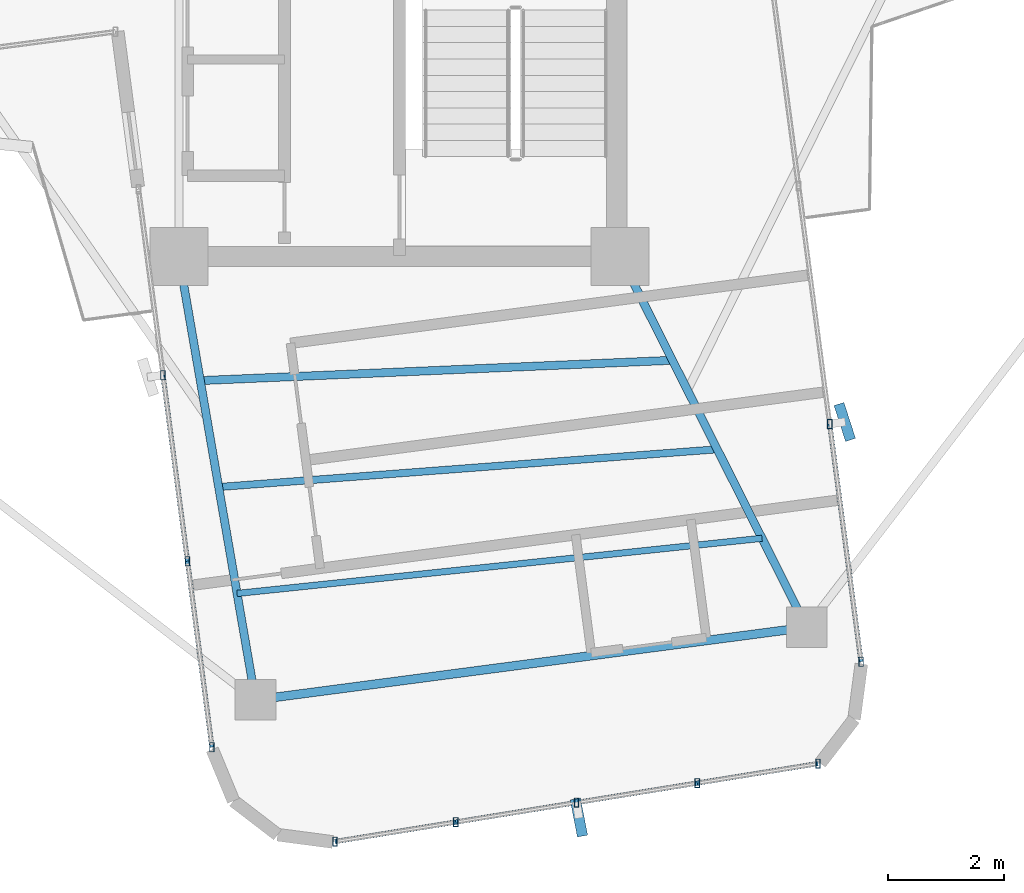
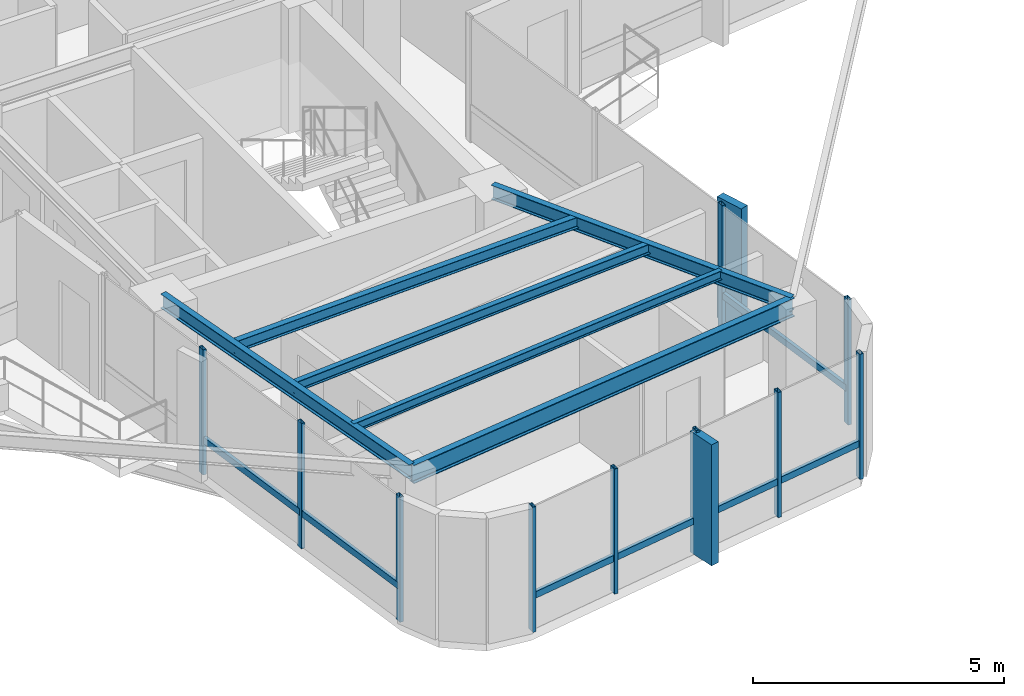
# One storey, part 4 of 23: 19 members, 6 beams, 3 elements without a shape of their own.
"""IFC4 building model written with IfcOpenShell, lengths in metres."""

from ifc_helpers import new_model, si_unit, direction, frame, origin, origin_2d, place, context, subcontext, project, spatial, rectangle, hollow_rectangle, i_section, extrude, source, transform, mapped, material, material_profile, profile_set, type_object, element, aggregate, save


model = new_model("IFC4")

# Units and contexts
model_context = context("Model", 3, precision=1e-05, world=origin(), true_north=direction((0.0, 1.0)))
body_context = subcontext(model_context, "Body", "Model", "MODEL_VIEW")
ifc_project = project(units=[si_unit("LENGTHUNIT", "METRE"), si_unit("AREAUNIT", "SQUARE_METRE"), si_unit("VOLUMEUNIT", "CUBIC_METRE"), si_unit("PLANEANGLEUNIT", "RADIAN"), si_unit("MASSUNIT", "GRAM", prefix="KILO")], contexts=[model_context])

# Site, building, storey
site_placement = place(None, origin())
site = spatial("IfcSite", under=ifc_project, at=site_placement, CompositionType="ELEMENT")
building_placement = place(site_placement, origin())
building = spatial("IfcBuilding", under=site, at=building_placement, Name="Sahyath Konkavel Grand Hotel", CompositionType="ELEMENT")
storey_placement = place(building_placement, frame((0.0, 0.0, 226.60009765625)))
storey = spatial("IfcBuildingStorey", under=building, at=storey_placement, Name="L63", CompositionType="ELEMENT", Elevation=226.60009765625)

# Beams
ifc_material_1 = material(Name="Steel E350", Category="steel")
ifc_material_profile_1 = material_profile(ifc_material_1, i_section(OverallWidth=0.139892578125, OverallDepth=0.35009765625, WebThickness=0.008056640625, FlangeThickness=0.01416015625, FilletRadius=0.013916015625, at=origin_2d()), Name="ISMB 350")
ifc_profile_set_1 = profile_set([ifc_material_profile_1], Name="Steel E350")
beam_type_1 = type_object("IfcBeamType", Name="BM-ISMB350", PredefinedType="BEAM", material=ifc_profile_set_1)
shared_shape_1 = source(origin(), body_context, "Body", "SweptSolid", [
    extrude(i_section(OverallWidth=0.139892578125, OverallDepth=0.35009765625, WebThickness=0.008056640625, FlangeThickness=0.01416015625, FilletRadius=0.013916015625, at=origin_2d()), origin(), (0.0, 0.0, 1.0), 7.74951171875),
])
beam_1_placement = place(storey_placement, frame((-3.800048828125, -10.199951171875, 2.875), z_axis=(0.170184370134, -0.985412238691, 0.0), x_axis=(0.985412238691, 0.170184370134, 0.0)))
element("IfcBeam", 1, at=beam_1_placement, inside=storey, type_object=beam_type_1, Name="L63 Cruciform Radial Girder SA", PredefinedType="BEAM", context=body_context, shape_type="MappedRepresentation", body=[
    mapped(shared_shape_1, transform((0.0, 0.0, 0.0), scale=1.0)),
])
shared_shape_2 = source(origin(), body_context, "Body", "SweptSolid", [
    extrude(i_section(OverallWidth=0.139892578125, OverallDepth=0.35009765625, WebThickness=0.008056640625, FlangeThickness=0.01416015625, FilletRadius=0.013916015625, at=origin_2d()), origin(), (0.0, 0.0, 1.0), 7.149169921875),
])
beam_2_placement = place(storey_placement, frame((3.800048828125, -10.199951171875, 2.875), z_axis=(0.449411491325, -0.893324863342, 0.0), x_axis=(0.893324863342, 0.449411491325, 0.0)))
element("IfcBeam", 2, at=beam_2_placement, inside=storey, type_object=beam_type_1, Name="L63 Cruciform Radial Girder SB", PredefinedType="BEAM", context=body_context, shape_type="MappedRepresentation", body=[
    mapped(shared_shape_2, transform((0.0, 0.0, 0.0), scale=1.0)),
])
ifc_material_profile_2 = material_profile(ifc_material_1, i_section(OverallWidth=0.14990234375, OverallDepth=0.449951171875, WebThickness=0.009521484375, FlangeThickness=0.017333984375, FilletRadius=0.014892578125, at=origin_2d()), Name="ISMB 450")
ifc_profile_set_2 = profile_set([ifc_material_profile_2], Name="Steel E350")
beam_type_2 = type_object("IfcBeamType", Name="BM-ISMB450", PredefinedType="BEAM", material=ifc_profile_set_2)
shared_shape_3 = source(origin(), body_context, "Body", "SweptSolid", [
    extrude(i_section(OverallWidth=0.14990234375, OverallDepth=0.449951171875, WebThickness=0.009521484375, FlangeThickness=0.017333984375, FilletRadius=0.014892578125, at=origin_2d()), origin(), (0.0, 0.0, 1.0), 9.576171875),
])
beam_3_placement = place(storey_placement, frame((-2.481201171875, -17.83642578125, 2.824951171875), z_axis=(0.991443879237, 0.13053365207, 0.0), x_axis=(-0.13053365207, 0.991443879237, 0.0)))
element("IfcBeam", 3, at=beam_3_placement, inside=storey, type_object=beam_type_2, Name="L63 Wing Tip Edge Beam S", PredefinedType="BEAM", context=body_context, shape_type="MappedRepresentation", body=[
    mapped(shared_shape_3, transform((0.0, 0.0, 0.0), scale=1.0)),
])
ifc_material_profile_3 = material_profile(ifc_material_1, i_section(OverallWidth=0.139892578125, OverallDepth=0.27490234375, WebThickness=0.00634765625, FlangeThickness=0.0087890625, FilletRadius=0.012939453125, at=origin_2d()), Name="ISLB 275")
ifc_profile_set_3 = profile_set([ifc_material_profile_3], Name="Steel E350")
beam_type_3 = type_object("IfcBeamType", Name="BM-ISLB275", PredefinedType="BEAM", material=ifc_profile_set_3)
shared_shape_4 = source(origin(), body_context, "Body", "SweptSolid", [
    extrude(i_section(OverallWidth=0.139892578125, OverallDepth=0.27490234375, WebThickness=0.00634765625, FlangeThickness=0.0087890625, FilletRadius=0.012939453125, at=origin_2d()), origin(), (0.0, 0.0, 1.0), 8.137939453125),
])
beam_4_placement = place(storey_placement, frame((-3.4306640625, -12.338134765625, 2.912353515625), z_axis=(0.999075473951, 0.042990665851, 0.0), x_axis=(-0.042990665851, 0.999075473951, 0.0)))
element("IfcBeam", 4, at=beam_4_placement, inside=storey, type_object=beam_type_3, Name="L63 Secondary Floor Beam S-1", PredefinedType="BEAM", context=body_context, shape_type="MappedRepresentation", body=[
    mapped(shared_shape_4, transform((0.0, 0.0, 0.0), scale=1.0)),
])
ifc_material_profile_4 = material_profile(ifc_material_1, i_section(OverallWidth=0.125, OverallDepth=0.25, WebThickness=0.0068359375, FlangeThickness=0.012451171875, FilletRadius=0.012939453125, at=origin_2d()), Name="ISMB 250")
ifc_profile_set_4 = profile_set([ifc_material_profile_4], Name="Steel E350")
beam_type_4 = type_object("IfcBeamType", Name="BM-ISMB250", PredefinedType="BEAM", material=ifc_profile_set_4)
shared_shape_5 = source(origin(), body_context, "Body", "SweptSolid", [
    extrude(i_section(OverallWidth=0.125, OverallDepth=0.25, WebThickness=0.0068359375, FlangeThickness=0.012451171875, FilletRadius=0.012939453125, at=origin_2d()), origin(), (0.0, 0.0, 1.0), 8.609619140625),
])
beam_5_placement = place(storey_placement, frame((-3.1142578125, -14.1708984375, 2.9248046875), z_axis=(0.997146829077, 0.075486430981, 0.0), x_axis=(-0.075486430981, 0.997146829077, 0.0)))
element("IfcBeam", 5, at=beam_5_placement, inside=storey, type_object=beam_type_4, Name="L63 Secondary Floor Beam S-2", PredefinedType="BEAM", context=body_context, shape_type="MappedRepresentation", body=[
    mapped(shared_shape_5, transform((0.0, 0.0, 0.0), scale=1.0)),
])
ifc_material_profile_5 = material_profile(ifc_material_1, i_section(OverallWidth=0.110107421875, OverallDepth=0.22509765625, WebThickness=0.006591796875, FlangeThickness=0.01171875, FilletRadius=0.011962890625, at=origin_2d()), Name="ISMB 225")
ifc_profile_set_5 = profile_set([ifc_material_profile_5], Name="Steel E350")
beam_type_5 = type_object("IfcBeamType", Name="BM-ISMB225", PredefinedType="BEAM", material=ifc_profile_set_5)
shared_shape_6 = source(origin(), body_context, "Body", "SweptSolid", [
    extrude(i_section(OverallWidth=0.110107421875, OverallDepth=0.22509765625, WebThickness=0.006591796875, FlangeThickness=0.01171875, FilletRadius=0.011962890625, at=origin_2d()), origin(), (0.0, 0.0, 1.0), 9.08935546875),
])
beam_6_placement = place(storey_placement, frame((-2.797607421875, -16.003662109375, 2.9375), z_axis=(0.99452354105, 0.104512804468, 0.0), x_axis=(-0.104512804468, 0.99452354105, 0.0)))
element("IfcBeam", 6, at=beam_6_placement, inside=storey, type_object=beam_type_5, Name="L63 Secondary Floor Beam S-3", PredefinedType="BEAM", context=body_context, shape_type="MappedRepresentation", body=[
    mapped(shared_shape_6, transform((0.0, 0.0, 0.0), scale=1.0)),
])

# Curtain wall, members
ifc_material_2 = material(Name="Anodised Bronze Aluminium & Low-E Glazing", Category="aluminium")
curtain_wall_type = type_object("IfcCurtainWallType", Name="CW-ZONE4", PredefinedType="NOTDEFINED", material=ifc_material_2)
curtain_wall_1_placement = place(storey_placement, origin())
curtain_wall_1 = element("IfcCurtainWall", 7, at=curtain_wall_1_placement, inside=storey, type_object=curtain_wall_type, Name="L63 Unitised Curtain Wall F24", PredefinedType="NOTDEFINED")
ifc_material_3 = material(Name="Anodised Bronze Aluminium", Category="aluminium")
ifc_material_profile_6 = material_profile(ifc_material_3, hollow_rectangle(XDim=0.080078125, YDim=0.159912109375, WallThickness=0.006103515625, at=origin_2d()), Name="RHS 160x80x6")
ifc_profile_set_6 = profile_set([ifc_material_profile_6], Name="Anodised Bronze Aluminium")
member_type_1 = type_object("IfcMemberType", Name="CW-MUL-160", PredefinedType="MULLION", material=ifc_profile_set_6)
shared_shape_7 = source(origin(), body_context, "Body", "SweptSolid", [
    extrude(hollow_rectangle(XDim=0.080078125, YDim=0.159912109375, WallThickness=0.006103515625, at=origin_2d()), origin(), (0.0, 0.0, 1.0), 3.0498046875),
])
member_1_placement = place(storey_placement, frame((-4.07470703125, -12.245361328125, 0.0), z_axis=(0.0, 0.0, 1.0), x_axis=(1.0, 0.0, 0.0)))
member_1 = element("IfcMember", 8, at=member_1_placement, type_object=member_type_1, Name="L63 Curtain Wall Mullion F24-1", PredefinedType="MULLION", context=body_context, shape_type="MappedRepresentation", body=[
    mapped(shared_shape_7, transform((0.0, 0.0, 0.0), scale=1.0)),
])
member_2_placement = place(storey_placement, frame((-3.65283203125, -15.4482421875, 0.0), z_axis=(0.0, 0.0, 1.0), x_axis=(1.0, 0.0, 0.0)))
member_2 = element("IfcMember", 9, at=member_2_placement, type_object=member_type_1, Name="L63 Curtain Wall Mullion F24-2", PredefinedType="MULLION", context=body_context, shape_type="MappedRepresentation", body=[
    mapped(shared_shape_7, transform((0.0, 0.0, 0.0), scale=1.0)),
])
member_3_placement = place(storey_placement, frame((-3.231201171875, -18.6513671875, 0.0), z_axis=(0.0, 0.0, 1.0), x_axis=(1.0, 0.0, 0.0)))
member_3 = element("IfcMember", 10, at=member_3_placement, type_object=member_type_1, Name="L63 Curtain Wall Mullion F24-3", PredefinedType="MULLION", context=body_context, shape_type="MappedRepresentation", body=[
    mapped(shared_shape_7, transform((0.0, 0.0, 0.0), scale=1.0)),
])

curtain_wall_2_placement = place(storey_placement, origin())
curtain_wall_2 = element("IfcCurtainWall", 11, at=curtain_wall_2_placement, inside=storey, type_object=curtain_wall_type, Name="L63 Unitised Curtain Wall F28", PredefinedType="NOTDEFINED")
member_4_placement = place(storey_placement, frame((-1.11083984375, -20.27734375, 0.0), z_axis=(0.0, 0.0, 1.0), x_axis=(1.0, 0.0, 0.0)))
member_4 = element("IfcMember", 12, at=member_4_placement, type_object=member_type_1, Name="L63 Curtain Wall Mullion F28-0", PredefinedType="MULLION", context=body_context, shape_type="MappedRepresentation", body=[
    mapped(shared_shape_7, transform((0.0, 0.0, 0.0), scale=1.0)),
])
member_5_placement = place(storey_placement, frame((0.968505859375, -19.941650390625, 0.0), z_axis=(0.0, 0.0, 1.0), x_axis=(1.0, 0.0, 0.0)))
member_5 = element("IfcMember", 13, at=member_5_placement, type_object=member_type_1, Name="L63 Curtain Wall Mullion F28-1", PredefinedType="MULLION", context=body_context, shape_type="MappedRepresentation", body=[
    mapped(shared_shape_7, transform((0.0, 0.0, 0.0), scale=1.0)),
])
member_6_placement = place(storey_placement, frame((3.047607421875, -19.60595703125, 0.0), z_axis=(0.0, 0.0, 1.0), x_axis=(1.0, 0.0, 0.0)))
member_6 = element("IfcMember", 14, at=member_6_placement, type_object=member_type_1, Name="L63 Curtain Wall Mullion F28-2", PredefinedType="MULLION", context=body_context, shape_type="MappedRepresentation", body=[
    mapped(shared_shape_7, transform((0.0, 0.0, 0.0), scale=1.0)),
])
member_7_placement = place(storey_placement, frame((5.126953125, -19.270263671875, 0.0), z_axis=(0.0, 0.0, 1.0), x_axis=(1.0, 0.0, 0.0)))
member_7 = element("IfcMember", 15, at=member_7_placement, type_object=member_type_1, Name="L63 Curtain Wall Mullion F28-3", PredefinedType="MULLION", context=body_context, shape_type="MappedRepresentation", body=[
    mapped(shared_shape_7, transform((0.0, 0.0, 0.0), scale=1.0)),
])
member_8_placement = place(storey_placement, frame((7.2060546875, -18.934814453125, 0.0), z_axis=(0.0, 0.0, 1.0), x_axis=(1.0, 0.0, 0.0)))
member_8 = element("IfcMember", 16, at=member_8_placement, type_object=member_type_1, Name="L63 Curtain Wall Mullion F28-4", PredefinedType="MULLION", context=body_context, shape_type="MappedRepresentation", body=[
    mapped(shared_shape_7, transform((0.0, 0.0, 0.0), scale=1.0)),
])

curtain_wall_3_placement = place(storey_placement, origin())
curtain_wall_3 = element("IfcCurtainWall", 17, at=curtain_wall_3_placement, inside=storey, type_object=curtain_wall_type, Name="L63 Unitised Curtain Wall F31", PredefinedType="NOTDEFINED")
member_9_placement = place(storey_placement, frame((7.948486328125, -17.179443359375, 0.0), z_axis=(0.0, 0.0, 1.0), x_axis=(1.0, 0.0, 0.0)))
member_9 = element("IfcMember", 18, at=member_9_placement, type_object=member_type_1, Name="L63 Curtain Wall Mullion F31-0", PredefinedType="MULLION", context=body_context, shape_type="MappedRepresentation", body=[
    mapped(shared_shape_7, transform((0.0, 0.0, 0.0), scale=1.0)),
])
member_10_placement = place(storey_placement, frame((7.4091796875, -13.084228515625, 0.0), z_axis=(0.0, 0.0, 1.0), x_axis=(1.0, 0.0, 0.0)))
member_10 = element("IfcMember", 19, at=member_10_placement, type_object=member_type_1, Name="L63 Curtain Wall Mullion F31-1", PredefinedType="MULLION", context=body_context, shape_type="MappedRepresentation", body=[
    mapped(shared_shape_7, transform((0.0, 0.0, 0.0), scale=1.0)),
])

# Member
ifc_material_4 = material(Name="Warm Buff Sandstone Cladding on Concrete C50/60", Category="masonry")
ifc_material_profile_7 = material_profile(ifc_material_4, rectangle(XDim=0.179931640625, YDim=0.64990234375, at=origin_2d()), Name="FIN 180x650")
ifc_profile_set_7 = profile_set([ifc_material_profile_7], Name="Warm Buff Sandstone Cladding on Concrete C50/60")
member_type_2 = type_object("IfcMemberType", Name="FIN-SANDSTONE-650", PredefinedType="MULLION", material=ifc_profile_set_7)
shared_shape_8 = source(origin(), body_context, "Body", "SweptSolid", [
    extrude(rectangle(XDim=0.179931640625, YDim=0.64990234375, at=origin_2d()), origin(), (0.0, 0.0, 1.0), 2.9501953125),
])
member_11_placement = place(storey_placement, frame((3.089111328125, -19.86279296875, 0.0498046875), z_axis=(0.0, 0.0, 1.0), x_axis=(0.981527141537, 0.191322947989, 0.0)))
member_11 = element("IfcMember", 20, at=member_11_placement, type_object=member_type_2, Name="L63 Sandstone Vertical Solar Fin FIN F28-2", PredefinedType="MULLION", context=body_context, shape_type="MappedRepresentation", body=[
    mapped(shared_shape_8, transform((0.0, 0.0, 0.0), scale=1.0)),
])

member_12_placement = place(storey_placement, frame((7.6669921875, -13.05029296875, 0.0498046875), z_axis=(0.0, 0.0, 1.0), x_axis=(0.951808747363, 0.306692204733, 0.0)))
member_12 = element("IfcMember", 21, at=member_12_placement, type_object=member_type_2, Name="L63 Sandstone Vertical Solar Fin FIN F31-1", PredefinedType="MULLION", context=body_context, shape_type="MappedRepresentation", body=[
    mapped(shared_shape_8, transform((0.0, 0.0, 0.0), scale=1.0)),
])

ifc_material_profile_8 = material_profile(ifc_material_3, hollow_rectangle(XDim=0.080078125, YDim=0.159912109375, WallThickness=0.006103515625, at=origin_2d()), Name="RHS 160x80x6")
ifc_profile_set_8 = profile_set([ifc_material_profile_8], Name="Anodised Bronze Aluminium")
member_type_3 = type_object("IfcMemberType", Name="CW-TRN-160", PredefinedType="USERDEFINED", material=ifc_profile_set_8)
shared_shape_9 = source(origin(), body_context, "Body", "SweptSolid", [
    extrude(hollow_rectangle(XDim=0.080078125, YDim=0.159912109375, WallThickness=0.006103515625, at=origin_2d()), origin(), (0.0, 0.0, 1.0), 3.230712890625),
])
member_13_placement = place(storey_placement, frame((-3.65283203125, -15.4482421875, 0.849853515625), z_axis=(0.130505336662, -0.991447606837, 0.0), x_axis=(0.991447606837, 0.130505336662, 0.0)))
member_13 = element("IfcMember", 22, at=member_13_placement, type_object=member_type_3, Name="L63 Curtain Wall Transom F24-2-spandrel", ObjectType="TRANSOM", PredefinedType="USERDEFINED", context=body_context, shape_type="MappedRepresentation", body=[
    mapped(shared_shape_9, transform((0.0, 0.0, 0.0), scale=1.0)),
])

shared_shape_10 = source(origin(), body_context, "Body", "SweptSolid", [
    extrude(hollow_rectangle(XDim=0.080078125, YDim=0.159912109375, WallThickness=0.006103515625, at=origin_2d()), origin(), (0.0, 0.0, 1.0), 3.23046875),
])
member_14_placement = place(storey_placement, frame((-4.07470703125, -12.245361328125, 0.849853515625), z_axis=(0.130589399912, -0.991436537874, 0.0), x_axis=(0.991436537874, 0.130589399912, 0.0)))
member_14 = element("IfcMember", 23, at=member_14_placement, type_object=member_type_3, Name="L63 Curtain Wall Transom F24-1-spandrel", ObjectType="TRANSOM", PredefinedType="USERDEFINED", context=body_context, shape_type="MappedRepresentation", body=[
    mapped(shared_shape_10, transform((0.0, 0.0, 0.0), scale=1.0)),
])

aggregate(curtain_wall_1, [member_1, member_2, member_3, member_14, member_13])

shared_shape_11 = source(origin(), body_context, "Body", "SweptSolid", [
    extrude(hollow_rectangle(XDim=0.080078125, YDim=0.159912109375, WallThickness=0.006103515625, at=origin_2d()), origin(), (0.0, 0.0, 1.0), 2.106201171875),
])
member_15_placement = place(storey_placement, frame((-1.11083984375, -20.27734375, 0.849853515625), z_axis=(0.987217598506, 0.159378208048, 0.0), x_axis=(-0.159378208048, 0.987217598506, 0.0)))
member_15 = element("IfcMember", 24, at=member_15_placement, type_object=member_type_3, Name="L63 Curtain Wall Transom F28-0-spandrel", ObjectType="TRANSOM", PredefinedType="USERDEFINED", context=body_context, shape_type="MappedRepresentation", body=[
    mapped(shared_shape_11, transform((0.0, 0.0, 0.0), scale=1.0)),
])

member_16_placement = place(storey_placement, frame((3.047607421875, -19.60595703125, 0.849853515625), z_axis=(0.987217598506, 0.159378208048, 0.0), x_axis=(-0.159378208048, 0.987217598506, 0.0)))
member_16 = element("IfcMember", 25, at=member_16_placement, type_object=member_type_3, Name="L63 Curtain Wall Transom F28-2-spandrel", ObjectType="TRANSOM", PredefinedType="USERDEFINED", context=body_context, shape_type="MappedRepresentation", body=[
    mapped(shared_shape_11, transform((0.0, 0.0, 0.0), scale=1.0)),
])

shared_shape_12 = source(origin(), body_context, "Body", "SweptSolid", [
    extrude(hollow_rectangle(XDim=0.080078125, YDim=0.159912109375, WallThickness=0.006103515625, at=origin_2d()), origin(), (0.0, 0.0, 1.0), 2.10595703125),
])
member_17_placement = place(storey_placement, frame((0.968505859375, -19.941650390625, 0.849853515625), z_axis=(0.987214653686, 0.159396447724, 0.0), x_axis=(-0.159396447724, 0.987214653686, 0.0)))
member_17 = element("IfcMember", 26, at=member_17_placement, type_object=member_type_3, Name="L63 Curtain Wall Transom F28-1-spandrel", ObjectType="TRANSOM", PredefinedType="USERDEFINED", context=body_context, shape_type="MappedRepresentation", body=[
    mapped(shared_shape_12, transform((0.0, 0.0, 0.0), scale=1.0)),
])

member_18_placement = place(storey_placement, frame((5.126953125, -19.270263671875, 0.849853515625), z_axis=(0.987232889294, 0.159283465229, 0.0), x_axis=(-0.159283465229, 0.987232889294, 0.0)))
member_18 = element("IfcMember", 27, at=member_18_placement, type_object=member_type_3, Name="L63 Curtain Wall Transom F28-3-spandrel", ObjectType="TRANSOM", PredefinedType="USERDEFINED", context=body_context, shape_type="MappedRepresentation", body=[
    mapped(shared_shape_12, transform((0.0, 0.0, 0.0), scale=1.0)),
])

aggregate(curtain_wall_2, [member_4, member_5, member_6, member_11, member_7, member_8, member_15, member_17, member_16, member_18])

shared_shape_13 = source(origin(), body_context, "Body", "SweptSolid", [
    extrude(hollow_rectangle(XDim=0.080078125, YDim=0.159912109375, WallThickness=0.006103515625, at=origin_2d()), origin(), (0.0, 0.0, 1.0), 4.130615234375),
])
member_19_placement = place(storey_placement, frame((7.948486328125, -17.179443359375, 0.849853515625), z_axis=(-0.130564595719, 0.991439804701, 0.0), x_axis=(-0.991439804701, -0.130564595719, 0.0)))
member_19 = element("IfcMember", 28, at=member_19_placement, type_object=member_type_3, Name="L63 Curtain Wall Transom F31-0-spandrel", ObjectType="TRANSOM", PredefinedType="USERDEFINED", context=body_context, shape_type="MappedRepresentation", body=[
    mapped(shared_shape_13, transform((0.0, 0.0, 0.0), scale=1.0)),
])

aggregate(curtain_wall_3, [member_9, member_10, member_12, member_19])

save(model, "model.ifc")
